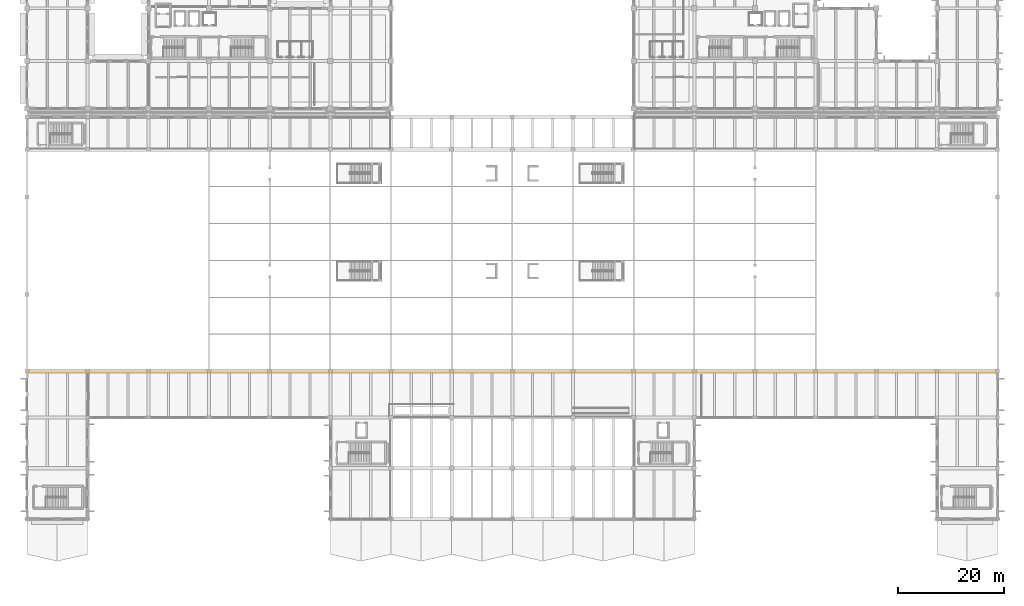
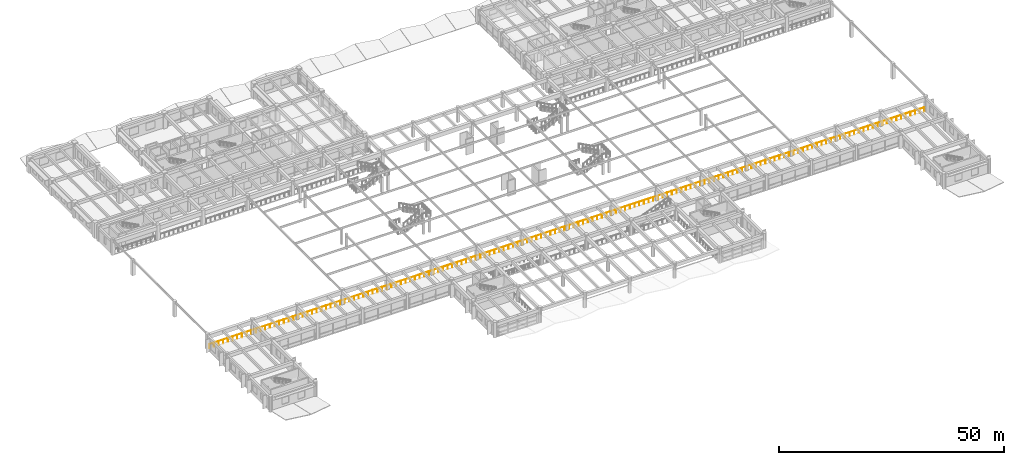
# One storey, part 91 of 98: 1 railing.
"""IFC4 building model written with IfcOpenShell, lengths in metres."""

from ifc_helpers import new_model, si_unit, direction, frame, origin, origin_2d, place, context, subcontext, project, spatial, circle, extrude, material, type_object, element, save


model = new_model("IFC4")

# Units and contexts
model_context = context("Model", 3, precision=1e-05, world=origin(), true_north=direction((0.0, 1.0)))
body_context = subcontext(model_context, "Body", "Model", "MODEL_VIEW")
ifc_project = project(units=[si_unit("LENGTHUNIT", "METRE"), si_unit("AREAUNIT", "SQUARE_METRE"), si_unit("VOLUMEUNIT", "CUBIC_METRE"), si_unit("PLANEANGLEUNIT", "RADIAN"), si_unit("MASSUNIT", "GRAM", prefix="KILO")], contexts=[model_context])

# Site, building, storey
site_placement = place(None, origin())
site = spatial("IfcSite", under=ifc_project, at=site_placement, CompositionType="ELEMENT")
building_placement = place(site_placement, origin())
building = spatial("IfcBuilding", under=site, at=building_placement, Name="Ologun Quay Terminus", CompositionType="ELEMENT")
storey_placement = place(building_placement, frame((0.0, 0.0, 4.199951171875)))
storey = spatial("IfcBuildingStorey", under=building, at=storey_placement, Name="L01", CompositionType="ELEMENT", Elevation=4.199951171875)

# Railing
ifc_material = material(Name="Glass", Category="glass")
railing_type = type_object("IfcRailingType", Name="Concourse & Atrium Glazed Balustrade 1150", PredefinedType="BALUSTRADE", material=ifc_material)
railing_placement = place(storey_placement, frame((0.39990234375, 35.85009765625, 0.0)))
element("IfcRailing", 1, at=railing_placement, inside=storey, type_object=railing_type, Name="BL-GL South Mezzanine Overlook Balustrade L01", PredefinedType="BALUSTRADE", context=body_context, shape_type="SweptSolid", body=[
    extrude(circle(Radius=0.02392578125, at=origin_2d()), frame((0.0, 0.0, 1.1259765625), z_axis=(1.0, 0.0, 0.0), x_axis=(0.0, 1.0, 0.0)), (0.0, 0.0, 1.0), 183.2001953125),
    extrude(circle(Radius=0.02099609375, at=origin_2d()), origin(), (0.0, 0.0, 1.0), 1.101806640625),
    extrude(circle(Radius=0.02099609375, at=origin_2d()), frame((1.197265625, 0.0, 0.0)), (0.0, 0.0, 1.0), 1.101806640625),
    extrude(circle(Radius=0.02099609375, at=origin_2d()), frame((2.394775390625, 0.0, 0.0)), (0.0, 0.0, 1.0), 1.101806640625),
    extrude(circle(Radius=0.02099609375, at=origin_2d()), frame((3.592041015625, 0.0, 0.0)), (0.0, 0.0, 1.0), 1.101806640625),
    extrude(circle(Radius=0.02099609375, at=origin_2d()), frame((4.78955078125, 0.0, 0.0)), (0.0, 0.0, 1.0), 1.101806640625),
    extrude(circle(Radius=0.02099609375, at=origin_2d()), frame((5.98681640625, 0.0, 0.0)), (0.0, 0.0, 1.0), 1.101806640625),
    extrude(circle(Radius=0.02099609375, at=origin_2d()), frame((7.184326171875, 0.0, 0.0)), (0.0, 0.0, 1.0), 1.101806640625),
    extrude(circle(Radius=0.02099609375, at=origin_2d()), frame((8.381591796875, 0.0, 0.0)), (0.0, 0.0, 1.0), 1.101806640625),
    extrude(circle(Radius=0.02099609375, at=origin_2d()), frame((9.5791015625, 0.0, 0.0)), (0.0, 0.0, 1.0), 1.101806640625),
    extrude(circle(Radius=0.02099609375, at=origin_2d()), frame((10.7763671875, 0.0, 0.0)), (0.0, 0.0, 1.0), 1.101806640625),
    extrude(circle(Radius=0.02099609375, at=origin_2d()), frame((11.973876953125, 0.0, 0.0)), (0.0, 0.0, 1.0), 1.101806640625),
    extrude(circle(Radius=0.02099609375, at=origin_2d()), frame((13.171142578125, 0.0, 0.0)), (0.0, 0.0, 1.0), 1.101806640625),
    extrude(circle(Radius=0.02099609375, at=origin_2d()), frame((14.36865234375, 0.0, 0.0)), (0.0, 0.0, 1.0), 1.101806640625),
    extrude(circle(Radius=0.02099609375, at=origin_2d()), frame((15.56591796875, 0.0, 0.0)), (0.0, 0.0, 1.0), 1.101806640625),
    extrude(circle(Radius=0.02099609375, at=origin_2d()), frame((16.763427734375, 0.0, 0.0)), (0.0, 0.0, 1.0), 1.101806640625),
    extrude(circle(Radius=0.02099609375, at=origin_2d()), frame((17.960693359375, 0.0, 0.0)), (0.0, 0.0, 1.0), 1.101806640625),
    extrude(circle(Radius=0.02099609375, at=origin_2d()), frame((19.158203125, 0.0, 0.0)), (0.0, 0.0, 1.0), 1.101806640625),
    extrude(circle(Radius=0.02099609375, at=origin_2d()), frame((20.35546875, 0.0, 0.0)), (0.0, 0.0, 1.0), 1.101806640625),
    extrude(circle(Radius=0.02099609375, at=origin_2d()), frame((21.552978515625, 0.0, 0.0)), (0.0, 0.0, 1.0), 1.101806640625),
    extrude(circle(Radius=0.02099609375, at=origin_2d()), frame((22.750244140625, 0.0, 0.0)), (0.0, 0.0, 1.0), 1.101806640625),
    extrude(circle(Radius=0.02099609375, at=origin_2d()), frame((23.94775390625, 0.0, 0.0)), (0.0, 0.0, 1.0), 1.101806640625),
    extrude(circle(Radius=0.02099609375, at=origin_2d()), frame((25.14501953125, 0.0, 0.0)), (0.0, 0.0, 1.0), 1.101806640625),
    extrude(circle(Radius=0.02099609375, at=origin_2d()), frame((26.342529296875, 0.0, 0.0)), (0.0, 0.0, 1.0), 1.101806640625),
    extrude(circle(Radius=0.02099609375, at=origin_2d()), frame((27.539794921875, 0.0, 0.0)), (0.0, 0.0, 1.0), 1.101806640625),
    extrude(circle(Radius=0.02099609375, at=origin_2d()), frame((28.7373046875, 0.0, 0.0)), (0.0, 0.0, 1.0), 1.101806640625),
    extrude(circle(Radius=0.02099609375, at=origin_2d()), frame((29.9345703125, 0.0, 0.0)), (0.0, 0.0, 1.0), 1.101806640625),
    extrude(circle(Radius=0.02099609375, at=origin_2d()), frame((31.132080078125, 0.0, 0.0)), (0.0, 0.0, 1.0), 1.101806640625),
    extrude(circle(Radius=0.02099609375, at=origin_2d()), frame((32.329345703125, 0.0, 0.0)), (0.0, 0.0, 1.0), 1.101806640625),
    extrude(circle(Radius=0.02099609375, at=origin_2d()), frame((33.52685546875, 0.0, 0.0)), (0.0, 0.0, 1.0), 1.101806640625),
    extrude(circle(Radius=0.02099609375, at=origin_2d()), frame((34.72412109375, 0.0, 0.0)), (0.0, 0.0, 1.0), 1.101806640625),
    extrude(circle(Radius=0.02099609375, at=origin_2d()), frame((35.921630859375, 0.0, 0.0)), (0.0, 0.0, 1.0), 1.101806640625),
    extrude(circle(Radius=0.02099609375, at=origin_2d()), frame((37.118896484375, 0.0, 0.0)), (0.0, 0.0, 1.0), 1.101806640625),
    extrude(circle(Radius=0.02099609375, at=origin_2d()), frame((38.31640625, 0.0, 0.0)), (0.0, 0.0, 1.0), 1.101806640625),
    extrude(circle(Radius=0.02099609375, at=origin_2d()), frame((39.513671875, 0.0, 0.0)), (0.0, 0.0, 1.0), 1.101806640625),
    extrude(circle(Radius=0.02099609375, at=origin_2d()), frame((40.711181640625, 0.0, 0.0)), (0.0, 0.0, 1.0), 1.101806640625),
    extrude(circle(Radius=0.02099609375, at=origin_2d()), frame((41.908447265625, 0.0, 0.0)), (0.0, 0.0, 1.0), 1.101806640625),
    extrude(circle(Radius=0.02099609375, at=origin_2d()), frame((43.10595703125, 0.0, 0.0)), (0.0, 0.0, 1.0), 1.101806640625),
    extrude(circle(Radius=0.02099609375, at=origin_2d()), frame((44.30322265625, 0.0, 0.0)), (0.0, 0.0, 1.0), 1.101806640625),
    extrude(circle(Radius=0.02099609375, at=origin_2d()), frame((45.500732421875, 0.0, 0.0)), (0.0, 0.0, 1.0), 1.101806640625),
    extrude(circle(Radius=0.02099609375, at=origin_2d()), frame((46.697998046875, 0.0, 0.0)), (0.0, 0.0, 1.0), 1.101806640625),
    extrude(circle(Radius=0.02099609375, at=origin_2d()), frame((47.8955078125, 0.0, 0.0)), (0.0, 0.0, 1.0), 1.101806640625),
    extrude(circle(Radius=0.02099609375, at=origin_2d()), frame((49.0927734375, 0.0, 0.0)), (0.0, 0.0, 1.0), 1.101806640625),
    extrude(circle(Radius=0.02099609375, at=origin_2d()), frame((50.290283203125, 0.0, 0.0)), (0.0, 0.0, 1.0), 1.101806640625),
    extrude(circle(Radius=0.02099609375, at=origin_2d()), frame((51.487548828125, 0.0, 0.0)), (0.0, 0.0, 1.0), 1.101806640625),
    extrude(circle(Radius=0.02099609375, at=origin_2d()), frame((52.68505859375, 0.0, 0.0)), (0.0, 0.0, 1.0), 1.101806640625),
    extrude(circle(Radius=0.02099609375, at=origin_2d()), frame((53.88232421875, 0.0, 0.0)), (0.0, 0.0, 1.0), 1.101806640625),
    extrude(circle(Radius=0.02099609375, at=origin_2d()), frame((55.079833984375, 0.0, 0.0)), (0.0, 0.0, 1.0), 1.101806640625),
    extrude(circle(Radius=0.02099609375, at=origin_2d()), frame((56.277099609375, 0.0, 0.0)), (0.0, 0.0, 1.0), 1.101806640625),
    extrude(circle(Radius=0.02099609375, at=origin_2d()), frame((57.474609375, 0.0, 0.0)), (0.0, 0.0, 1.0), 1.101806640625),
    extrude(circle(Radius=0.02099609375, at=origin_2d()), frame((58.671875, 0.0, 0.0)), (0.0, 0.0, 1.0), 1.101806640625),
    extrude(circle(Radius=0.02099609375, at=origin_2d()), frame((59.869384765625, 0.0, 0.0)), (0.0, 0.0, 1.0), 1.101806640625),
    extrude(circle(Radius=0.02099609375, at=origin_2d()), frame((61.066650390625, 0.0, 0.0)), (0.0, 0.0, 1.0), 1.101806640625),
    extrude(circle(Radius=0.02099609375, at=origin_2d()), frame((62.26416015625, 0.0, 0.0)), (0.0, 0.0, 1.0), 1.101806640625),
    extrude(circle(Radius=0.02099609375, at=origin_2d()), frame((63.46142578125, 0.0, 0.0)), (0.0, 0.0, 1.0), 1.101806640625),
    extrude(circle(Radius=0.02099609375, at=origin_2d()), frame((64.658935546875, 0.0, 0.0)), (0.0, 0.0, 1.0), 1.101806640625),
    extrude(circle(Radius=0.02099609375, at=origin_2d()), frame((65.856201171875, 0.0, 0.0)), (0.0, 0.0, 1.0), 1.101806640625),
    extrude(circle(Radius=0.02099609375, at=origin_2d()), frame((67.0537109375, 0.0, 0.0)), (0.0, 0.0, 1.0), 1.101806640625),
    extrude(circle(Radius=0.02099609375, at=origin_2d()), frame((68.2509765625, 0.0, 0.0)), (0.0, 0.0, 1.0), 1.101806640625),
    extrude(circle(Radius=0.02099609375, at=origin_2d()), frame((69.448486328125, 0.0, 0.0)), (0.0, 0.0, 1.0), 1.101806640625),
    extrude(circle(Radius=0.02099609375, at=origin_2d()), frame((70.645751953125, 0.0, 0.0)), (0.0, 0.0, 1.0), 1.101806640625),
    extrude(circle(Radius=0.02099609375, at=origin_2d()), frame((71.84326171875, 0.0, 0.0)), (0.0, 0.0, 1.0), 1.101806640625),
    extrude(circle(Radius=0.02099609375, at=origin_2d()), frame((73.04052734375, 0.0, 0.0)), (0.0, 0.0, 1.0), 1.101806640625),
    extrude(circle(Radius=0.02099609375, at=origin_2d()), frame((74.238037109375, 0.0, 0.0)), (0.0, 0.0, 1.0), 1.101806640625),
    extrude(circle(Radius=0.02099609375, at=origin_2d()), frame((75.435302734375, 0.0, 0.0)), (0.0, 0.0, 1.0), 1.101806640625),
    extrude(circle(Radius=0.02099609375, at=origin_2d()), frame((76.6328125, 0.0, 0.0)), (0.0, 0.0, 1.0), 1.101806640625),
    extrude(circle(Radius=0.02099609375, at=origin_2d()), frame((77.830078125, 0.0, 0.0)), (0.0, 0.0, 1.0), 1.101806640625),
    extrude(circle(Radius=0.02099609375, at=origin_2d()), frame((79.027587890625, 0.0, 0.0)), (0.0, 0.0, 1.0), 1.101806640625),
    extrude(circle(Radius=0.02099609375, at=origin_2d()), frame((80.224853515625, 0.0, 0.0)), (0.0, 0.0, 1.0), 1.101806640625),
    extrude(circle(Radius=0.02099609375, at=origin_2d()), frame((81.42236328125, 0.0, 0.0)), (0.0, 0.0, 1.0), 1.101806640625),
    extrude(circle(Radius=0.02099609375, at=origin_2d()), frame((82.61962890625, 0.0, 0.0)), (0.0, 0.0, 1.0), 1.101806640625),
    extrude(circle(Radius=0.02099609375, at=origin_2d()), frame((83.817138671875, 0.0, 0.0)), (0.0, 0.0, 1.0), 1.101806640625),
    extrude(circle(Radius=0.02099609375, at=origin_2d()), frame((85.014404296875, 0.0, 0.0)), (0.0, 0.0, 1.0), 1.101806640625),
    extrude(circle(Radius=0.02099609375, at=origin_2d()), frame((86.2119140625, 0.0, 0.0)), (0.0, 0.0, 1.0), 1.101806640625),
    extrude(circle(Radius=0.02099609375, at=origin_2d()), frame((87.4091796875, 0.0, 0.0)), (0.0, 0.0, 1.0), 1.101806640625),
    extrude(circle(Radius=0.02099609375, at=origin_2d()), frame((88.606689453125, 0.0, 0.0)), (0.0, 0.0, 1.0), 1.101806640625),
    extrude(circle(Radius=0.02099609375, at=origin_2d()), frame((89.803955078125, 0.0, 0.0)), (0.0, 0.0, 1.0), 1.101806640625),
    extrude(circle(Radius=0.02099609375, at=origin_2d()), frame((91.00146484375, 0.0, 0.0)), (0.0, 0.0, 1.0), 1.101806640625),
    extrude(circle(Radius=0.02099609375, at=origin_2d()), frame((92.19873046875, 0.0, 0.0)), (0.0, 0.0, 1.0), 1.101806640625),
    extrude(circle(Radius=0.02099609375, at=origin_2d()), frame((93.396240234375, 0.0, 0.0)), (0.0, 0.0, 1.0), 1.101806640625),
    extrude(circle(Radius=0.02099609375, at=origin_2d()), frame((94.593505859375, 0.0, 0.0)), (0.0, 0.0, 1.0), 1.101806640625),
    extrude(circle(Radius=0.02099609375, at=origin_2d()), frame((95.791015625, 0.0, 0.0)), (0.0, 0.0, 1.0), 1.101806640625),
    extrude(circle(Radius=0.02099609375, at=origin_2d()), frame((96.98828125, 0.0, 0.0)), (0.0, 0.0, 1.0), 1.101806640625),
    extrude(circle(Radius=0.02099609375, at=origin_2d()), frame((98.185791015625, 0.0, 0.0)), (0.0, 0.0, 1.0), 1.101806640625),
    extrude(circle(Radius=0.02099609375, at=origin_2d()), frame((99.383056640625, 0.0, 0.0)), (0.0, 0.0, 1.0), 1.101806640625),
    extrude(circle(Radius=0.02099609375, at=origin_2d()), frame((100.58056640625, 0.0, 0.0)), (0.0, 0.0, 1.0), 1.101806640625),
    extrude(circle(Radius=0.02099609375, at=origin_2d()), frame((101.77783203125, 0.0, 0.0)), (0.0, 0.0, 1.0), 1.101806640625),
    extrude(circle(Radius=0.02099609375, at=origin_2d()), frame((102.975341796875, 0.0, 0.0)), (0.0, 0.0, 1.0), 1.101806640625),
    extrude(circle(Radius=0.02099609375, at=origin_2d()), frame((104.172607421875, 0.0, 0.0)), (0.0, 0.0, 1.0), 1.101806640625),
    extrude(circle(Radius=0.02099609375, at=origin_2d()), frame((105.3701171875, 0.0, 0.0)), (0.0, 0.0, 1.0), 1.101806640625),
    extrude(circle(Radius=0.02099609375, at=origin_2d()), frame((106.5673828125, 0.0, 0.0)), (0.0, 0.0, 1.0), 1.101806640625),
    extrude(circle(Radius=0.02099609375, at=origin_2d()), frame((107.764892578125, 0.0, 0.0)), (0.0, 0.0, 1.0), 1.101806640625),
    extrude(circle(Radius=0.02099609375, at=origin_2d()), frame((108.962158203125, 0.0, 0.0)), (0.0, 0.0, 1.0), 1.101806640625),
    extrude(circle(Radius=0.02099609375, at=origin_2d()), frame((110.15966796875, 0.0, 0.0)), (0.0, 0.0, 1.0), 1.101806640625),
    extrude(circle(Radius=0.02099609375, at=origin_2d()), frame((111.35693359375, 0.0, 0.0)), (0.0, 0.0, 1.0), 1.101806640625),
    extrude(circle(Radius=0.02099609375, at=origin_2d()), frame((112.554443359375, 0.0, 0.0)), (0.0, 0.0, 1.0), 1.101806640625),
    extrude(circle(Radius=0.02099609375, at=origin_2d()), frame((113.751708984375, 0.0, 0.0)), (0.0, 0.0, 1.0), 1.101806640625),
    extrude(circle(Radius=0.02099609375, at=origin_2d()), frame((114.94921875, 0.0, 0.0)), (0.0, 0.0, 1.0), 1.101806640625),
    extrude(circle(Radius=0.02099609375, at=origin_2d()), frame((116.146484375, 0.0, 0.0)), (0.0, 0.0, 1.0), 1.101806640625),
    extrude(circle(Radius=0.02099609375, at=origin_2d()), frame((117.343994140625, 0.0, 0.0)), (0.0, 0.0, 1.0), 1.101806640625),
    extrude(circle(Radius=0.02099609375, at=origin_2d()), frame((118.541259765625, 0.0, 0.0)), (0.0, 0.0, 1.0), 1.101806640625),
    extrude(circle(Radius=0.02099609375, at=origin_2d()), frame((119.73876953125, 0.0, 0.0)), (0.0, 0.0, 1.0), 1.101806640625),
    extrude(circle(Radius=0.02099609375, at=origin_2d()), frame((120.93603515625, 0.0, 0.0)), (0.0, 0.0, 1.0), 1.101806640625),
    extrude(circle(Radius=0.02099609375, at=origin_2d()), frame((122.133544921875, 0.0, 0.0)), (0.0, 0.0, 1.0), 1.101806640625),
    extrude(circle(Radius=0.02099609375, at=origin_2d()), frame((123.330810546875, 0.0, 0.0)), (0.0, 0.0, 1.0), 1.101806640625),
    extrude(circle(Radius=0.02099609375, at=origin_2d()), frame((124.5283203125, 0.0, 0.0)), (0.0, 0.0, 1.0), 1.101806640625),
    extrude(circle(Radius=0.02099609375, at=origin_2d()), frame((125.7255859375, 0.0, 0.0)), (0.0, 0.0, 1.0), 1.101806640625),
    extrude(circle(Radius=0.02099609375, at=origin_2d()), frame((126.923095703125, 0.0, 0.0)), (0.0, 0.0, 1.0), 1.101806640625),
    extrude(circle(Radius=0.02099609375, at=origin_2d()), frame((128.120361328125, 0.0, 0.0)), (0.0, 0.0, 1.0), 1.101806640625),
    extrude(circle(Radius=0.02099609375, at=origin_2d()), frame((129.31787109375, 0.0, 0.0)), (0.0, 0.0, 1.0), 1.101806640625),
    extrude(circle(Radius=0.02099609375, at=origin_2d()), frame((130.51513671875, 0.0, 0.0)), (0.0, 0.0, 1.0), 1.101806640625),
    extrude(circle(Radius=0.02099609375, at=origin_2d()), frame((131.712646484375, 0.0, 0.0)), (0.0, 0.0, 1.0), 1.101806640625),
    extrude(circle(Radius=0.02099609375, at=origin_2d()), frame((132.909912109375, 0.0, 0.0)), (0.0, 0.0, 1.0), 1.101806640625),
    extrude(circle(Radius=0.02099609375, at=origin_2d()), frame((134.107421875, 0.0, 0.0)), (0.0, 0.0, 1.0), 1.101806640625),
    extrude(circle(Radius=0.02099609375, at=origin_2d()), frame((135.3046875, 0.0, 0.0)), (0.0, 0.0, 1.0), 1.101806640625),
    extrude(circle(Radius=0.02099609375, at=origin_2d()), frame((136.502197265625, 0.0, 0.0)), (0.0, 0.0, 1.0), 1.101806640625),
    extrude(circle(Radius=0.02099609375, at=origin_2d()), frame((137.699462890625, 0.0, 0.0)), (0.0, 0.0, 1.0), 1.101806640625),
    extrude(circle(Radius=0.02099609375, at=origin_2d()), frame((138.89697265625, 0.0, 0.0)), (0.0, 0.0, 1.0), 1.101806640625),
    extrude(circle(Radius=0.02099609375, at=origin_2d()), frame((140.09423828125, 0.0, 0.0)), (0.0, 0.0, 1.0), 1.101806640625),
    extrude(circle(Radius=0.02099609375, at=origin_2d()), frame((141.291748046875, 0.0, 0.0)), (0.0, 0.0, 1.0), 1.101806640625),
    extrude(circle(Radius=0.02099609375, at=origin_2d()), frame((142.489013671875, 0.0, 0.0)), (0.0, 0.0, 1.0), 1.101806640625),
    extrude(circle(Radius=0.02099609375, at=origin_2d()), frame((143.6865234375, 0.0, 0.0)), (0.0, 0.0, 1.0), 1.101806640625),
    extrude(circle(Radius=0.02099609375, at=origin_2d()), frame((144.8837890625, 0.0, 0.0)), (0.0, 0.0, 1.0), 1.101806640625),
    extrude(circle(Radius=0.02099609375, at=origin_2d()), frame((146.081298828125, 0.0, 0.0)), (0.0, 0.0, 1.0), 1.101806640625),
    extrude(circle(Radius=0.02099609375, at=origin_2d()), frame((147.278564453125, 0.0, 0.0)), (0.0, 0.0, 1.0), 1.101806640625),
    extrude(circle(Radius=0.02099609375, at=origin_2d()), frame((148.47607421875, 0.0, 0.0)), (0.0, 0.0, 1.0), 1.101806640625),
    extrude(circle(Radius=0.02099609375, at=origin_2d()), frame((149.67333984375, 0.0, 0.0)), (0.0, 0.0, 1.0), 1.101806640625),
    extrude(circle(Radius=0.02099609375, at=origin_2d()), frame((150.870849609375, 0.0, 0.0)), (0.0, 0.0, 1.0), 1.101806640625),
    extrude(circle(Radius=0.02099609375, at=origin_2d()), frame((152.068115234375, 0.0, 0.0)), (0.0, 0.0, 1.0), 1.101806640625),
    extrude(circle(Radius=0.02099609375, at=origin_2d()), frame((153.265625, 0.0, 0.0)), (0.0, 0.0, 1.0), 1.101806640625),
    extrude(circle(Radius=0.02099609375, at=origin_2d()), frame((154.462890625, 0.0, 0.0)), (0.0, 0.0, 1.0), 1.101806640625),
    extrude(circle(Radius=0.02099609375, at=origin_2d()), frame((155.660400390625, 0.0, 0.0)), (0.0, 0.0, 1.0), 1.101806640625),
    extrude(circle(Radius=0.02099609375, at=origin_2d()), frame((156.857666015625, 0.0, 0.0)), (0.0, 0.0, 1.0), 1.101806640625),
    extrude(circle(Radius=0.02099609375, at=origin_2d()), frame((158.05517578125, 0.0, 0.0)), (0.0, 0.0, 1.0), 1.101806640625),
    extrude(circle(Radius=0.02099609375, at=origin_2d()), frame((159.25244140625, 0.0, 0.0)), (0.0, 0.0, 1.0), 1.101806640625),
    extrude(circle(Radius=0.02099609375, at=origin_2d()), frame((160.449951171875, 0.0, 0.0)), (0.0, 0.0, 1.0), 1.101806640625),
    extrude(circle(Radius=0.02099609375, at=origin_2d()), frame((161.647216796875, 0.0, 0.0)), (0.0, 0.0, 1.0), 1.101806640625),
    extrude(circle(Radius=0.02099609375, at=origin_2d()), frame((162.8447265625, 0.0, 0.0)), (0.0, 0.0, 1.0), 1.101806640625),
    extrude(circle(Radius=0.02099609375, at=origin_2d()), frame((164.0419921875, 0.0, 0.0)), (0.0, 0.0, 1.0), 1.101806640625),
    extrude(circle(Radius=0.02099609375, at=origin_2d()), frame((165.239501953125, 0.0, 0.0)), (0.0, 0.0, 1.0), 1.101806640625),
    extrude(circle(Radius=0.02099609375, at=origin_2d()), frame((166.436767578125, 0.0, 0.0)), (0.0, 0.0, 1.0), 1.101806640625),
    extrude(circle(Radius=0.02099609375, at=origin_2d()), frame((167.63427734375, 0.0, 0.0)), (0.0, 0.0, 1.0), 1.101806640625),
    extrude(circle(Radius=0.02099609375, at=origin_2d()), frame((168.83154296875, 0.0, 0.0)), (0.0, 0.0, 1.0), 1.101806640625),
    extrude(circle(Radius=0.02099609375, at=origin_2d()), frame((170.029052734375, 0.0, 0.0)), (0.0, 0.0, 1.0), 1.101806640625),
    extrude(circle(Radius=0.02099609375, at=origin_2d()), frame((171.226318359375, 0.0, 0.0)), (0.0, 0.0, 1.0), 1.101806640625),
    extrude(circle(Radius=0.02099609375, at=origin_2d()), frame((172.423828125, 0.0, 0.0)), (0.0, 0.0, 1.0), 1.101806640625),
    extrude(circle(Radius=0.02099609375, at=origin_2d()), frame((173.62109375, 0.0, 0.0)), (0.0, 0.0, 1.0), 1.101806640625),
    extrude(circle(Radius=0.02099609375, at=origin_2d()), frame((174.818603515625, 0.0, 0.0)), (0.0, 0.0, 1.0), 1.101806640625),
    extrude(circle(Radius=0.02099609375, at=origin_2d()), frame((176.015869140625, 0.0, 0.0)), (0.0, 0.0, 1.0), 1.101806640625),
    extrude(circle(Radius=0.02099609375, at=origin_2d()), frame((177.21337890625, 0.0, 0.0)), (0.0, 0.0, 1.0), 1.101806640625),
    extrude(circle(Radius=0.02099609375, at=origin_2d()), frame((178.41064453125, 0.0, 0.0)), (0.0, 0.0, 1.0), 1.101806640625),
    extrude(circle(Radius=0.02099609375, at=origin_2d()), frame((179.608154296875, 0.0, 0.0)), (0.0, 0.0, 1.0), 1.101806640625),
    extrude(circle(Radius=0.02099609375, at=origin_2d()), frame((180.805419921875, 0.0, 0.0)), (0.0, 0.0, 1.0), 1.101806640625),
    extrude(circle(Radius=0.02099609375, at=origin_2d()), frame((182.0029296875, 0.0, 0.0)), (0.0, 0.0, 1.0), 1.101806640625),
    extrude(circle(Radius=0.02099609375, at=origin_2d()), frame((183.2001953125, 0.0, 0.0)), (0.0, 0.0, 1.0), 1.101806640625),
])

save(model, "model.ifc")
